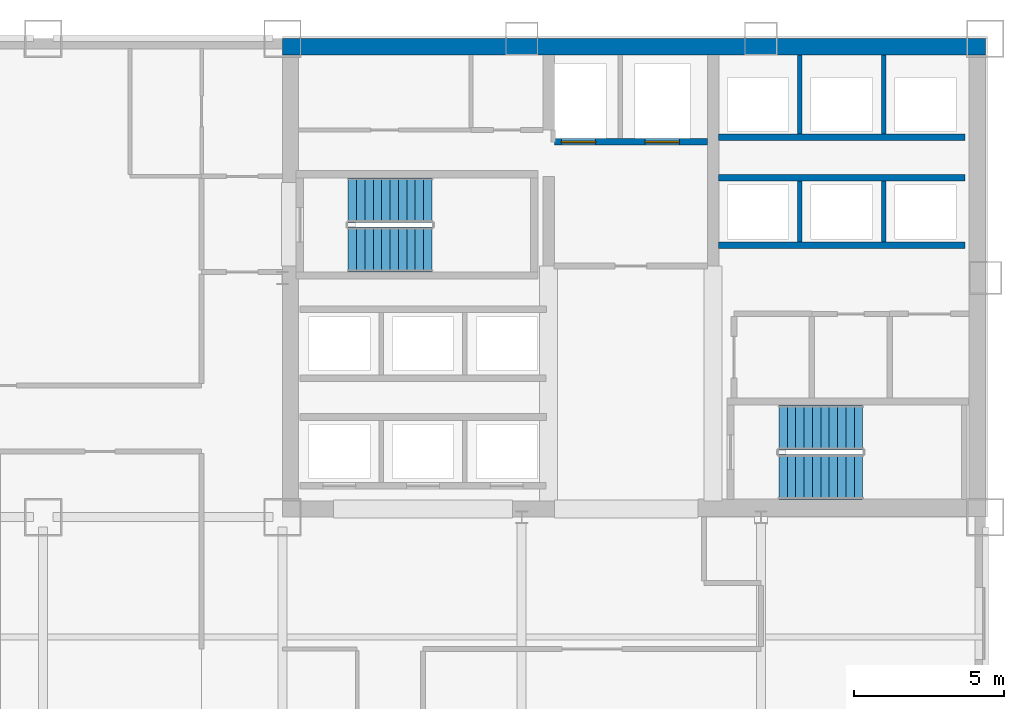
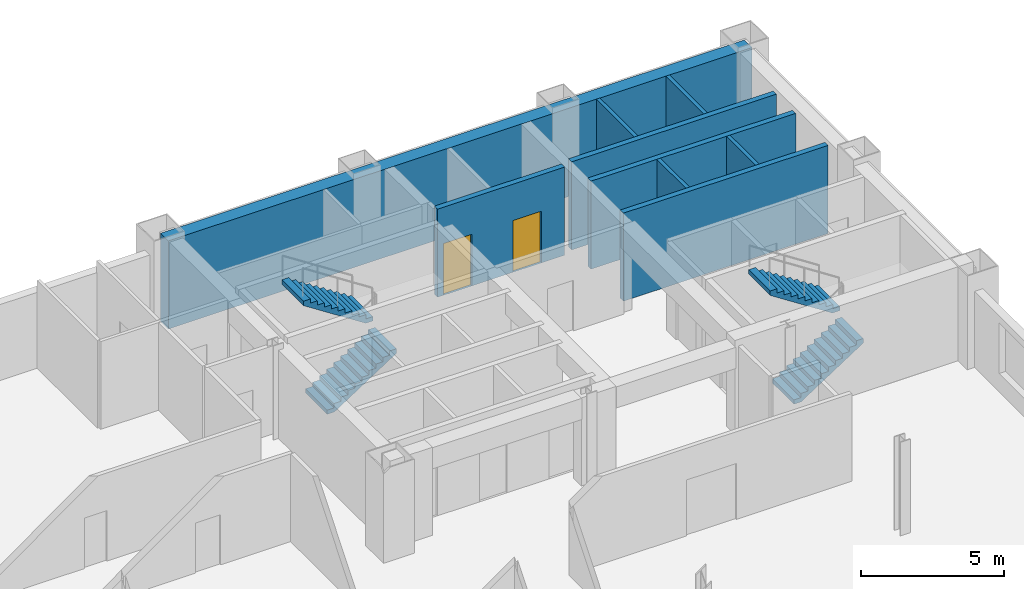
# One storey, part 7 of 9: 9 walls, 4 stair flights, 2 doors, 2 openings, 2 elements without a shape of their own.
"""IFC4 building model written with IfcOpenShell, lengths in metres."""

from ifc_helpers import new_model, si_unit, direction, frame, frame_2d, origin, place, context, subcontext, project, spatial, polyline, rectangle, outline, extrude, material, layer, layer_set, type_object, element, fill, aggregate, save


model = new_model("IFC4")

# Units and contexts
model_context = context("Model", 3, precision=1e-05, world=origin(), true_north=direction((0.0, 1.0)))
body_context = subcontext(model_context, "Body", "Model", "MODEL_VIEW")
ifc_project = project(units=[si_unit("LENGTHUNIT", "METRE"), si_unit("AREAUNIT", "SQUARE_METRE"), si_unit("VOLUMEUNIT", "CUBIC_METRE"), si_unit("PLANEANGLEUNIT", "RADIAN"), si_unit("MASSUNIT", "GRAM", prefix="KILO")], contexts=[model_context])

# Site, building, storey
site_placement = place(None, origin())
site = spatial("IfcSite", under=ifc_project, at=site_placement, CompositionType="ELEMENT")
building_placement = place(site_placement, origin())
building = spatial("IfcBuilding", under=site, at=building_placement, Name="Qianrong Seaharbour Tower", CompositionType="ELEMENT")
storey_placement = place(building_placement, frame((0.0, 0.0, 60.199951171875)))
storey = spatial("IfcBuildingStorey", under=building, at=storey_placement, Name="L14", CompositionType="ELEMENT", Elevation=60.199951171875)

# Walls
ifc_material_1 = material(Name="Concrete C70/85", Category="concrete")
ifc_layer_1 = layer(ifc_material_1, 0.5400390625)
ifc_layer_set_1 = layer_set([ifc_layer_1], Name="Concrete C70/85")
wall_type_1 = type_object("IfcWallType", Name="WALL-CORE-540", PredefinedType="SHEAR", material=ifc_layer_set_1)
wall_1_placement = place(storey_placement, frame((40.5, 51.72998046875, 0.0), z_axis=(0.0, 0.0, 1.0), x_axis=(1.0, 0.0, 0.0)))
element("IfcWall", 1, at=wall_1_placement, inside=storey, type_object=wall_type_1, Name="L14 North Core Shear Wall", PredefinedType="SHEAR", context=body_context, shape_type="SweptSolid", body=[
    extrude(rectangle(XDim=23.5, YDim=0.5400390625, at=frame_2d((11.75, 0.0))), origin(), (0.0, 0.0, 1.0), 3.75),
])
ifc_material_2 = material(Name="Fire-rated gypsum board on steel studs", Category="steel")
ifc_layer_2 = layer(ifc_material_2, 0.14990234375)
ifc_layer_set_2 = layer_set([ifc_layer_2], Name="Fire-rated gypsum board on steel studs")
wall_type_2 = type_object("IfcWallType", Name="WALL-SHAFT-DIV-150", PredefinedType="PARTITIONING", material=ifc_layer_set_2)
for number, where, z_axis, x_axis, name in (
    (2, (57.800048828125, 45.2099609375, 0.0), (0.0, 0.0, 1.0), (0.0, 1.0, 0.0), "L14 P3 Lift Hoistway Divider 2"),
    (3, (60.60009765625, 45.2099609375, 0.0), (0.0, 0.0, 1.0), (0.0, 1.0, 0.0), "L14 P3 Lift Hoistway Divider 3"),
):
    element("IfcWall", number, at=place(storey_placement, frame(where, z_axis=z_axis, x_axis=x_axis)), inside=storey, type_object=wall_type_2, Name=name, PredefinedType="PARTITIONING", context=body_context, shape_type="SweptSolid", body=[
        extrude(rectangle(XDim=2.030029296875, YDim=0.14990234375, at=frame_2d((1.01513671875, 0.0))), origin(), (0.0, 0.0, 1.0), 3.75),
    ])
for number, where, z_axis, x_axis, name in (
    (4, (57.800048828125, 48.81005859375, 0.0), (0.0, 0.0, 1.0), (0.0, 1.0, 0.0), "L14 P4 Lift Hoistway Divider 2"),
    (5, (60.60009765625, 48.81005859375, 0.0), (0.0, 0.0, 1.0), (0.0, 1.0, 0.0), "L14 P4 Lift Hoistway Divider 3"),
):
    element("IfcWall", number, at=place(storey_placement, frame(where, z_axis=z_axis, x_axis=x_axis)), inside=storey, type_object=wall_type_2, Name=name, PredefinedType="PARTITIONING", context=body_context, shape_type="SweptSolid", body=[
        extrude(rectangle(XDim=2.64990234375, YDim=0.14990234375, at=frame_2d((1.324951171875, 0.0))), origin(), (0.0, 0.0, 1.0), 3.75),
    ])

# Wall, openings, doors
ifc_layer_3 = layer(ifc_material_2, 0.219970703125)
ifc_layer_set_3 = layer_set([ifc_layer_3], Name="Fire-rated gypsum board on steel studs")
wall_type_3 = type_object("IfcWallType", Name="WALL-SHAFT-GYP220", PredefinedType="PARTITIONING", material=ifc_layer_set_3)
wall_2_placement = place(storey_placement, frame((54.7099609375, 48.550048828125, 0.0), z_axis=(0.0, 0.0, 1.0), x_axis=(-1.0, 0.0, 0.0)))
wall_2 = element("IfcWall", 6, at=wall_2_placement, inside=storey, type_object=wall_type_3, Name="L14 Firefighting Lift Shaft Front Wall", PredefinedType="PARTITIONING", context=body_context, shape_type="SweptSolid", body=[
    extrude(rectangle(XDim=5.119873046875, YDim=0.219970703125, at=frame_2d((2.56005859375, 0.0))), origin(), (0.0, 0.0, 1.0), 3.75),
])
opening_1_placement = place(wall_2_placement, frame((3.735107421875, 0.0, 0.0)))
opening_1 = element("IfcOpeningElement", 7, at=opening_1_placement, cuts=wall_2, Name="Opening LD-01", PredefinedType="OPENING", context=body_context, shape_type="SweptSolid", body=[
    extrude(rectangle(XDim=1.14990234375, YDim=2.199951171875, at=frame_2d((0.574951171875, 1.10009765625))), frame((0.0, 0.1201171875, 0.0), z_axis=(0.0, -1.0, 0.0), x_axis=(1.0, 0.0, 0.0)), (0.0, 0.0, 1.0), 0.239990234375),
])
opening_2_placement = place(wall_2_placement, frame((0.93505859375, 0.0, 0.0)))
opening_2 = element("IfcOpeningElement", 8, at=opening_2_placement, cuts=wall_2, Name="Opening LD-01", PredefinedType="OPENING", context=body_context, shape_type="SweptSolid", body=[
    extrude(rectangle(XDim=1.14990234375, YDim=2.199951171875, at=frame_2d((0.574951171875, 1.10009765625))), frame((0.0, 0.1201171875, 0.0), z_axis=(0.0, -1.0, 0.0), x_axis=(1.0, 0.0, 0.0)), (0.0, 0.0, 1.0), 0.239990234375),
])
ifc_material_3 = material(Name="Stainless steel SUS316L bi-parting lift landing door", Category="steel")
door_type = type_object("IfcDoorType", Name="DOOR-LIFT-FF-1150x2200", OperationType="DOUBLE_DOOR_SLIDING", PredefinedType="DOOR", material=ifc_material_3)
door_1_placement = place(opening_1_placement, origin())
door_1 = element("IfcDoor", 9, at=door_1_placement, inside=storey, type_object=door_type, Name="L14 FL-1 Firefighting Lift Landing Door", OperationType="DOUBLE_DOOR_SLIDING", OverallHeight=2.199951171875, OverallWidth=1.14990234375, PredefinedType="DOOR", context=body_context, shape_type="SweptSolid", body=[
    extrude(rectangle(XDim=1.14990234375, YDim=2.199951171875, at=frame_2d((0.574951171875, 1.10009765625))), frame((0.0, 0.02490234375, 0.0), z_axis=(0.0, -1.0, 0.0), x_axis=(1.0, 0.0, 0.0)), (0.0, 0.0, 1.0), 0.050048828125),
])
fill(opening_1, door_1)
door_2_placement = place(opening_2_placement, origin())
door_2 = element("IfcDoor", 10, at=door_2_placement, inside=storey, type_object=door_type, Name="L14 FL-2 Firefighting Lift Landing Door", OperationType="DOUBLE_DOOR_SLIDING", OverallHeight=2.199951171875, OverallWidth=1.14990234375, PredefinedType="DOOR", context=body_context, shape_type="SweptSolid", body=[
    extrude(rectangle(XDim=1.14990234375, YDim=2.199951171875, at=frame_2d((0.574951171875, 1.10009765625))), frame((0.0, 0.02490234375, 0.0), z_axis=(0.0, -1.0, 0.0), x_axis=(1.0, 0.0, 0.0)), (0.0, 0.0, 1.0), 0.050048828125),
])
fill(opening_2, door_2)

# Walls
for number, where, z_axis, x_axis, name in (
    (11, (63.320068359375, 45.10009765625, 0.0), (0.0, 0.0, 1.0), (-1.0, 0.0, 0.0), "L14 P3 Lift Hoistway Front Wall"),
    (12, (55.080078125, 47.35009765625, 0.0), (0.0, 0.0, 1.0), (1.0, 0.0, 0.0), "L14 P3 Lift Hoistway Back Wall"),
    (13, (63.320068359375, 48.699951171875, 0.0), (0.0, 0.0, 1.0), (-1.0, 0.0, 0.0), "L14 P4 Lift Hoistway Front Wall"),
):
    element("IfcWall", number, at=place(storey_placement, frame(where, z_axis=z_axis, x_axis=x_axis)), inside=storey, type_object=wall_type_3, Name=name, PredefinedType="PARTITIONING", context=body_context, shape_type="SweptSolid", body=[
        extrude(rectangle(XDim=8.239990234375, YDim=0.219970703125, at=frame_2d((4.1201171875, 0.0))), origin(), (0.0, 0.0, 1.0), 3.75),
    ])

# Stair, stair flights
ifc_material_4 = material(Name="Concrete C50/60", Category="concrete")
stair_type = type_object("IfcStairType", Name="STAIR-DOGLEG-1500-R22", PredefinedType="HALF_TURN_STAIR", material=ifc_material_4)
stair_1_placement = place(storey_placement, origin())
stair_1 = element("IfcStair", 14, at=stair_1_placement, inside=storey, type_object=stair_type, Name="L14 Protected Escape Stair ST-1", PredefinedType="HALF_TURN_STAIR")
stair_flight_type = type_object("IfcStairFlightType", Name="FLIGHT-STR-1500-R22", PredefinedType="STRAIGHT", material=ifc_material_4)
stair_flight_1_placement = place(storey_placement, frame((42.699951171875, 44.949951171875, 0.0), z_axis=(0.0, 0.0, 1.0), x_axis=(1.0, 0.0, 0.0)))
stair_flight_1 = element("IfcStairFlight", 15, at=stair_flight_1_placement, type_object=stair_flight_type, Name="ST-1 flight 1", NumberOfRisers=11, NumberOfTreads=10, PredefinedType="STRAIGHT", RiserHeight=0.181818182, TreadLength=0.28, context=body_context, shape_type="SweptSolid", body=[
    extrude(outline(polyline([(0.0, 0.0), (0.0, 0.181884765625), (0.280029296875, 0.181884765625), (0.280029296875, 0.363525390625), (0.56005859375, 0.363525390625), (0.56005859375, 0.54541015625), (0.840087890625, 0.54541015625), (0.840087890625, 0.727294921875), (1.1201171875, 0.727294921875), (1.1201171875, 0.9091796875), (1.39990234375, 0.9091796875), (1.39990234375, 1.0908203125), (1.679931640625, 1.0908203125), (1.679931640625, 1.272705078125), (1.9599609375, 1.272705078125), (1.9599609375, 1.45458984375), (2.239990234375, 1.45458984375), (2.239990234375, 1.636474609375), (2.52001953125, 1.636474609375), (2.52001953125, 1.818115234375), (2.800048828125, 1.818115234375), (2.800048828125, 2.0), (2.800048828125, 1.62744140625), (0.293701171875, 0.0), (0.0, 0.0)])), frame((0.0, 0.75, 0.0), z_axis=(0.0, -1.0, 0.0), x_axis=(1.0, 0.0, 0.0)), (0.0, 0.0, 1.0), 1.5),
])
stair_flight_2_placement = place(storey_placement, frame((45.5, 46.60009765625, 2.0), z_axis=(0.0, 0.0, 1.0), x_axis=(-1.0, 0.0, 0.0)))
stair_flight_2 = element("IfcStairFlight", 16, at=stair_flight_2_placement, type_object=stair_flight_type, Name="ST-1 flight 2", NumberOfRisers=11, NumberOfTreads=10, PredefinedType="STRAIGHT", RiserHeight=0.181818182, TreadLength=0.28, context=body_context, shape_type="SweptSolid", body=[
    extrude(outline(polyline([(0.0, 0.0), (0.0, 0.181884765625), (0.280029296875, 0.181884765625), (0.280029296875, 0.363525390625), (0.56005859375, 0.363525390625), (0.56005859375, 0.54541015625), (0.840087890625, 0.54541015625), (0.840087890625, 0.727294921875), (1.1201171875, 0.727294921875), (1.1201171875, 0.9091796875), (1.39990234375, 0.9091796875), (1.39990234375, 1.0908203125), (1.679931640625, 1.0908203125), (1.679931640625, 1.272705078125), (1.9599609375, 1.272705078125), (1.9599609375, 1.45458984375), (2.239990234375, 1.45458984375), (2.239990234375, 1.636474609375), (2.52001953125, 1.636474609375), (2.52001953125, 1.818115234375), (2.800048828125, 1.818115234375), (2.800048828125, 2.0), (2.800048828125, 1.62744140625), (0.293701171875, 0.0), (0.0, 0.0)])), frame((0.0, 0.75, 0.0), z_axis=(0.0, -1.0, 0.0), x_axis=(1.0, 0.0, 0.0)), (0.0, 0.0, 1.0), 1.5),
])
aggregate(stair_1, [stair_flight_1, stair_flight_2])

stair_2_placement = place(storey_placement, origin())
stair_2 = element("IfcStair", 17, at=stair_2_placement, inside=storey, type_object=stair_type, Name="L14 Protected Escape Stair ST-2", PredefinedType="HALF_TURN_STAIR")
stair_flight_3_placement = place(storey_placement, frame((57.10009765625, 37.35009765625, 0.0), z_axis=(0.0, 0.0, 1.0), x_axis=(1.0, 0.0, 0.0)))
stair_flight_3 = element("IfcStairFlight", 18, at=stair_flight_3_placement, type_object=stair_flight_type, Name="ST-2 flight 1", NumberOfRisers=11, NumberOfTreads=10, PredefinedType="STRAIGHT", RiserHeight=0.181818182, TreadLength=0.28, context=body_context, shape_type="SweptSolid", body=[
    extrude(outline(polyline([(0.0, 0.0), (0.0, 0.181884765625), (0.280029296875, 0.181884765625), (0.280029296875, 0.363525390625), (0.56005859375, 0.363525390625), (0.56005859375, 0.54541015625), (0.840087890625, 0.54541015625), (0.840087890625, 0.727294921875), (1.1201171875, 0.727294921875), (1.1201171875, 0.9091796875), (1.39990234375, 0.9091796875), (1.39990234375, 1.0908203125), (1.679931640625, 1.0908203125), (1.679931640625, 1.272705078125), (1.9599609375, 1.272705078125), (1.9599609375, 1.45458984375), (2.239990234375, 1.45458984375), (2.239990234375, 1.636474609375), (2.52001953125, 1.636474609375), (2.52001953125, 1.818115234375), (2.800048828125, 1.818115234375), (2.800048828125, 2.0), (2.800048828125, 1.62744140625), (0.293701171875, 0.0), (0.0, 0.0)])), frame((0.0, 0.75, 0.0), z_axis=(0.0, -1.0, 0.0), x_axis=(1.0, 0.0, 0.0)), (0.0, 0.0, 1.0), 1.5),
])
stair_flight_4_placement = place(storey_placement, frame((59.89990234375, 39.0, 2.0), z_axis=(0.0, 0.0, 1.0), x_axis=(-1.0, 0.0, 0.0)))
stair_flight_4 = element("IfcStairFlight", 19, at=stair_flight_4_placement, type_object=stair_flight_type, Name="ST-2 flight 2", NumberOfRisers=11, NumberOfTreads=10, PredefinedType="STRAIGHT", RiserHeight=0.181818182, TreadLength=0.28, context=body_context, shape_type="SweptSolid", body=[
    extrude(outline(polyline([(0.0, 0.0), (0.0, 0.181884765625), (0.280029296875, 0.181884765625), (0.280029296875, 0.363525390625), (0.56005859375, 0.363525390625), (0.56005859375, 0.54541015625), (0.840087890625, 0.54541015625), (0.840087890625, 0.727294921875), (1.1201171875, 0.727294921875), (1.1201171875, 0.9091796875), (1.39990234375, 0.9091796875), (1.39990234375, 1.0908203125), (1.679931640625, 1.0908203125), (1.679931640625, 1.272705078125), (1.9599609375, 1.272705078125), (1.9599609375, 1.45458984375), (2.239990234375, 1.45458984375), (2.239990234375, 1.636474609375), (2.52001953125, 1.636474609375), (2.52001953125, 1.818115234375), (2.800048828125, 1.818115234375), (2.800048828125, 2.0), (2.800048828125, 1.62744140625), (0.293701171875, 0.0), (0.0, 0.0)])), frame((0.0, 0.75, 0.0), z_axis=(0.0, -1.0, 0.0), x_axis=(1.0, 0.0, 0.0)), (0.0, 0.0, 1.0), 1.5),
])
aggregate(stair_2, [stair_flight_3, stair_flight_4])

save(model, "model.ifc")
